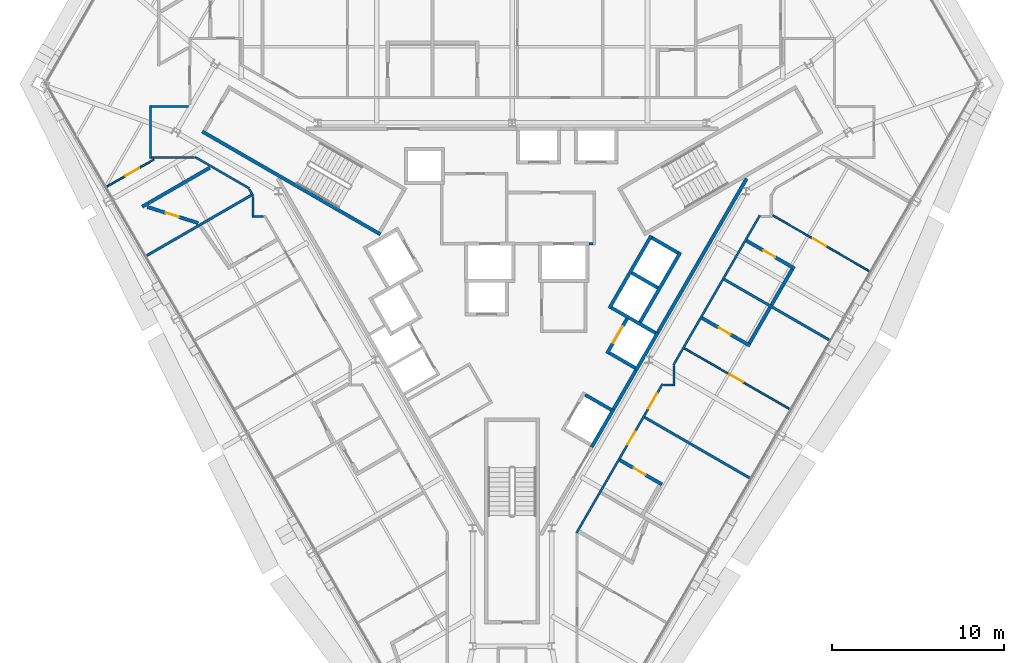
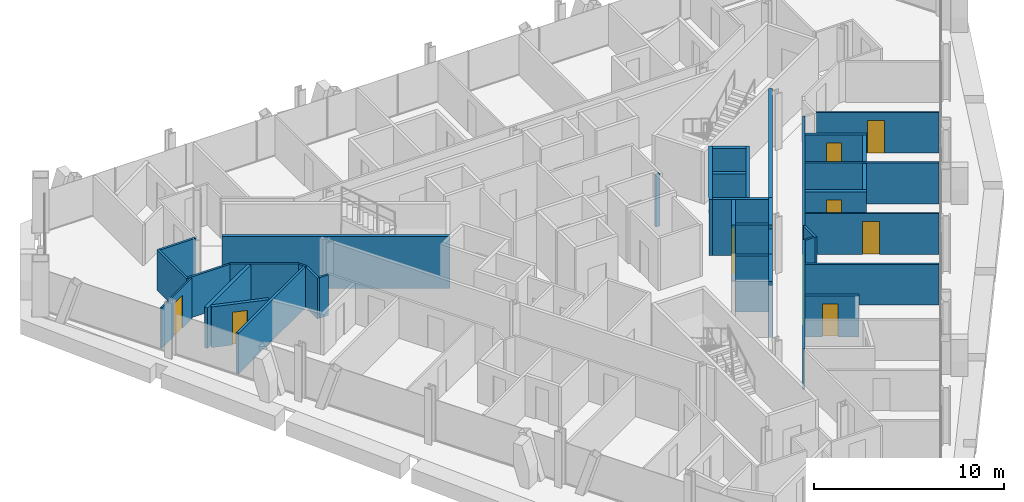
# One storey, part 12 of 17: 38 walls, 10 doors, 10 openings.
"""IFC4 building model written with IfcOpenShell, lengths in metres."""

import ifcopenshell
import ifcopenshell.guid

model = None  # the IFC model being written
_history = None  # IfcOwnerHistory: only IFC2X3 demands one
_inside = {}  # id of a spatial element -> (the spatial element, [elements in it])
_under = {}  # id of a project, library or spatial element -> (it, [spatial elements below it])
_declared = {}  # id of a project -> (the project, [libraries it declares])
_typed = {}  # id of a type object -> (the type object, [elements of that type])
_made_of = {}  # id of a material, layer set ... -> (it, [elements and type objects made of it])


def new_model(schema):
    """Start an empty IFC model of exactly this schema.

    Asked for "IFC4X3", IfcOpenShell would pick the latest addendum, in which some entities
    have other attributes; the version numbers below select the first issue.
    IFC2X3 requires an IfcOwnerHistory on every rooted entity: one is made here for all.
    """
    global model, _history
    if schema == "IFC4X3":
        model = ifcopenshell.file(schema_version=(4, 3, 0, 0))
    else:
        model = ifcopenshell.file(schema=schema)
    _inside.clear()
    _under.clear()
    _declared.clear()
    _typed.clear()
    _made_of.clear()
    _history = None
    if model.schema == "IFC2X3":
        org = make("IfcOrganization", Name="unknown")
        user = make(
            "IfcPersonAndOrganization",
            ThePerson=make("IfcPerson", FamilyName="unknown"),
            TheOrganization=org,
        )
        app = make(
            "IfcApplication",
            ApplicationDeveloper=org,
            Version="unknown",
            ApplicationFullName="unknown",
            ApplicationIdentifier="unknown",
        )
        _history = make(
            "IfcOwnerHistory",
            OwningUser=user,
            OwningApplication=app,
            ChangeAction="ADDED",
            CreationDate=0,
        )
    return model


def make(cls, **values):
    """One entity of the class cls with the attributes given. An attribute that is None is left unset."""
    return model.create_entity(
        cls, **{name: value for name, value in values.items() if value is not None}
    )


def rooted(cls, **values):
    """An entity with a GlobalId (a new one), such as an element, a storey or a relation."""
    return make(cls, GlobalId=ifcopenshell.guid.new(), OwnerHistory=_history, **values)


def si_unit(unit_type, name, prefix=None):
    """IfcSIUnit, for example si_unit("LENGTHUNIT", "METRE", prefix="MILLI")."""
    return make("IfcSIUnit", UnitType=unit_type, Prefix=prefix, Name=name)


def assignment(units):
    """IfcUnitAssignment: the units of a project."""
    return None if units is None else make("IfcUnitAssignment", Units=units)


def point(xyz):
    """IfcCartesianPoint."""
    return None if xyz is None else make("IfcCartesianPoint", Coordinates=xyz)


def direction(xyz):
    """IfcDirection."""
    return None if xyz is None else make("IfcDirection", DirectionRatios=xyz)


def frame(location, z_axis=None, x_axis=None):
    """IfcAxis2Placement3D, a coordinate frame: its origin and axes. An axis left out is left unset."""
    return make(
        "IfcAxis2Placement3D",
        Location=point(location),
        Axis=direction(z_axis),
        RefDirection=direction(x_axis),
    )


def frame_2d(location, x_axis=None):
    """IfcAxis2Placement2D, a coordinate frame in the plane: its origin and x axis."""
    return make(
        "IfcAxis2Placement2D", Location=point(location), RefDirection=direction(x_axis)
    )


def origin():
    """The frame at (0, 0, 0) with its axes left unset."""
    return frame((0.0, 0.0, 0.0))


def place(relative_to, where):
    """IfcLocalPlacement: puts the frame where relative to a parent placement (None: the world)."""
    return make(
        "IfcLocalPlacement", PlacementRelTo=relative_to, RelativePlacement=where
    )


def context(
    kind, dimensions, precision=None, world=None, true_north=None, identifier=None
):
    """IfcGeometricRepresentationContext, for example the 3D "Model" context."""
    return make(
        "IfcGeometricRepresentationContext",
        ContextIdentifier=identifier,
        ContextType=kind,
        CoordinateSpaceDimension=dimensions,
        Precision=precision,
        WorldCoordinateSystem=world,
        TrueNorth=true_north,
    )


def subcontext(parent, identifier, kind, view, scale=None):
    """IfcGeometricRepresentationSubContext, for example "Body" below "Model"."""
    return make(
        "IfcGeometricRepresentationSubContext",
        ContextIdentifier=identifier,
        ContextType=kind,
        ParentContext=parent,
        TargetScale=scale,
        TargetView=view,
    )


def project(units=None, contexts=None):
    """IfcProject with its units and contexts."""
    return rooted(
        "IfcProject",
        Name="project",
        RepresentationContexts=contexts,
        UnitsInContext=assignment(units),
    )


def spatial(cls, under=None, at=None, **own):
    """A site, building, storey or space (cls), placed at a placement, below another one or the project."""
    s = rooted(cls, ObjectPlacement=at, **own)
    if under is not None:
        _under.setdefault(under.id(), (under, []))[1].append(s)
    return s


def profile(cls, at=None, kind="AREA", **sizes):
    """A parametric profile (cls). Its sizes go by their IFC names, for example OverallWidth=200.0."""
    return make(cls, ProfileType=kind, Position=at, **sizes)


def rectangle(**sizes):
    """IfcRectangleProfileDef."""
    return profile("IfcRectangleProfileDef", **sizes)


def extrude(swept, where, along, depth):
    """IfcExtrudedAreaSolid: the profile swept, set in the frame where, extruded along a direction by depth."""
    return make(
        "IfcExtrudedAreaSolid",
        SweptArea=swept,
        Position=where,
        ExtrudedDirection=direction(along),
        Depth=depth,
    )


def shape(context_of_items, identifier, shape_type, items):
    """IfcShapeRepresentation: the items that make up one representation, for example the "Body"."""
    return make(
        "IfcShapeRepresentation",
        ContextOfItems=context_of_items,
        RepresentationIdentifier=identifier,
        RepresentationType=shape_type,
        Items=items,
    )


def material(Name=None, Category=None):
    """IfcMaterial."""
    return make("IfcMaterial", Name=Name, Category=Category)


def layer(
    of_material, thickness, ventilated=None, Name=None, Category=None, Priority=None
):
    """IfcMaterialLayer: one layer of a wall or slab, of a material (None: an air gap)."""
    return make(
        "IfcMaterialLayer",
        Material=of_material,
        LayerThickness=thickness,
        IsVentilated=ventilated,
        Name=Name,
        Category=Category,
        Priority=Priority,
    )


def layer_set(layers, Name=None):
    """IfcMaterialLayerSet."""
    return make("IfcMaterialLayerSet", MaterialLayers=layers, LayerSetName=Name)


def made_of(thing, what):
    """Note that an element or type object is made of a material, layer set ...; save() writes the relation."""
    if what is not None:
        _made_of.setdefault(what.id(), (what, []))[1].append(thing)
    return thing


def type_object(cls, material=None, **own):
    """A type object (cls), such as IfcWallType, which elements share."""
    return made_of(rooted(cls, **own), material)


def element(
    cls,
    number,
    at=None,
    inside=None,
    cuts=None,
    type_object=None,
    material=None,
    context=None,
    identifier="Body",
    shape_type=None,
    held_by="IfcProductDefinitionShape",
    body=None,
    shapes=None,
    **own,
):
    """One element of the class cls, such as IfcWall. Its Tag is "e" and its number.

    at: its placement. inside: the storey or other place that contains it. cuts: it is an
    opening in that element (IfcRelVoidsElement). A single representation is given by context,
    identifier, shape_type and body (its items); several are given by shapes. held_by: the class
    of the entity that holds the representations. save() writes the other relations.
    """
    e = rooted(cls, Tag="e%d" % number, ObjectPlacement=at, **own)
    if body is not None:
        shapes = [shape(context, identifier, shape_type, body)]
    if shapes is not None:
        e.Representation = make(held_by, Representations=shapes)
    if inside is not None:
        _inside.setdefault(inside.id(), (inside, []))[1].append(e)
    if cuts is not None:
        rooted(
            "IfcRelVoidsElement", RelatingBuildingElement=cuts, RelatedOpeningElement=e
        )
    if type_object is not None:
        _typed.setdefault(type_object.id(), (type_object, []))[1].append(e)
    return made_of(e, material)


def fill(opening, filler):
    """IfcRelFillsElement: the door or window that sits in an opening."""
    return rooted(
        "IfcRelFillsElement",
        RelatingOpeningElement=opening,
        RelatedBuildingElement=filler,
    )


def aggregate(whole, parts):
    """IfcRelAggregates: a whole, such as a stair, and the parts it consists of."""
    return rooted("IfcRelAggregates", RelatingObject=whole, RelatedObjects=parts)


def save(model, path):
    """Write the relations noted so far, then the file.

    IfcRelAggregates (storeys below a building ...), IfcRelContainedInSpatialStructure (elements
    in a storey), IfcRelDefinesByType, IfcRelAssociatesMaterial and IfcRelDeclares: one each for
    every whole, place, type object, material and project.
    """
    for whole, parts in _under.values():
        aggregate(whole, parts)
    for where, things in _inside.values():
        rooted(
            "IfcRelContainedInSpatialStructure",
            RelatedElements=things,
            RelatingStructure=where,
        )
    for kind, things in _typed.values():
        rooted("IfcRelDefinesByType", RelatedObjects=things, RelatingType=kind)
    for what, things in _made_of.values():
        rooted("IfcRelAssociatesMaterial", RelatedObjects=things, RelatingMaterial=what)
    for by, libraries in _declared.values():
        rooted("IfcRelDeclares", RelatingContext=by, RelatedDefinitions=libraries)
    model.write(path)


model = new_model("IFC4")

# Units and contexts
model_context = context("Model", 3, precision=1e-05, world=origin(), true_north=direction((0.0, 1.0)))
body_context = subcontext(model_context, "Body", "Model", "MODEL_VIEW")
ifc_project = project(units=[si_unit("LENGTHUNIT", "METRE"), si_unit("AREAUNIT", "SQUARE_METRE"), si_unit("VOLUMEUNIT", "CUBIC_METRE"), si_unit("PLANEANGLEUNIT", "RADIAN"), si_unit("MASSUNIT", "GRAM", prefix="KILO")], contexts=[model_context])

# Site, building, storey
site_placement = place(None, origin())
site = spatial("IfcSite", under=ifc_project, at=site_placement, CompositionType="ELEMENT")
building_placement = place(site_placement, origin())
building = spatial("IfcBuilding", under=site, at=building_placement, Name="Verrane Prism Tower", CompositionType="ELEMENT")
storey_placement = place(building_placement, frame((0.0, 0.0, 96.39990234375)))
storey = spatial("IfcBuildingStorey", under=building, at=storey_placement, Name="L22", CompositionType="ELEMENT", Elevation=96.39990234375)

# Walls
ifc_material_1 = material(Name="Gypsum board partition", Category="other")
ifc_layer_1 = layer(ifc_material_1, 0.199951171875)
ifc_layer_set_1 = layer_set([ifc_layer_1], Name="CW-200 core boundary wall 2 h")
wall_type_1 = type_object("IfcWallType", Name="CW-200 core boundary wall 2 h", PredefinedType="PARTITIONING", material=ifc_layer_set_1)
wall_1_placement = place(storey_placement, frame((5.906005859375, -7.489990234375, 0.0), z_axis=(0.0, 0.0, 1.0), x_axis=(0.500252727967, 0.865879442048, 0.0)))
element("IfcWall", 1, at=wall_1_placement, inside=storey, type_object=wall_type_1, Name="Core boundary wall CW3-005", PredefinedType="PARTITIONING", context=body_context, shape_type="SweptSolid", body=[
    extrude(rectangle(XDim=2.616943359375, YDim=0.199951171875, at=frame_2d((1.30859375, 0.0))), origin(), (0.0, 0.0, 1.0), 3.35009765625),
])
wall_2_placement = place(storey_placement, frame((8.491943359375, -3.011962890625, 0.0), z_axis=(0.0, 0.0, 1.0), x_axis=(0.499972957231, 0.866041016371, 0.0)))
element("IfcWall", 2, at=wall_2_placement, inside=storey, type_object=wall_type_1, Name="Core boundary wall CW3-007", PredefinedType="PARTITIONING", context=body_context, shape_type="SweptSolid", body=[
    extrude(rectangle(XDim=10.3486328125, YDim=0.199951171875, at=frame_2d((5.17431640625, 0.0))), origin(), (0.0, 0.0, 1.0), 3.35009765625),
])
ifc_material_2 = material(Name="Concrete C40/50", Category="concrete")
ifc_layer_2 = layer(ifc_material_2, 0.199951171875)
ifc_layer_set_2 = layer_set([ifc_layer_2], Name="CW-200 stair core wall concrete C40/50 3 h")
wall_type_2 = type_object("IfcWallType", Name="CW-200 stair core wall concrete C40/50 3 h", PredefinedType="PARTITIONING", material=ifc_layer_set_2)
wall_3_placement = place(storey_placement, frame((-7.67822265625, 2.700927734375, 0.0), z_axis=(0.0, 0.0, 1.0), x_axis=(-0.866026010844, 0.49999894854, 0.0)))
element("IfcWall", 3, at=wall_3_placement, inside=storey, type_object=wall_type_2, Name="Stair 2 enclosure wall", PredefinedType="PARTITIONING", context=body_context, shape_type="SweptSolid", body=[
    extrude(rectangle(XDim=12.0, YDim=0.199951171875, at=frame_2d((6.0, 0.0))), origin(), (0.0, 0.0, 1.0), 3.35009765625),
])
ifc_material_3 = material(Name="Gypsum board shaft wall assembly", Category="other")
ifc_layer_3 = layer(ifc_material_3, 0.199951171875)
ifc_layer_set_3 = layer_set([ifc_layer_3], Name="HW-200 lift shaft wall 2 h")
wall_type_3 = type_object("IfcWallType", Name="HW-200 lift shaft wall 2 h", PredefinedType="PARTITIONING", material=ifc_layer_set_3)
wall_4_placement = place(storey_placement, frame((4.63037109375, -9.69970703125, 0.0), z_axis=(0.0, 0.0, 1.0), x_axis=(0.500062241894, 0.865989465428, 0.0)))
element("IfcWall", 4, at=wall_4_placement, inside=storey, type_object=wall_type_3, Name="Lift shaft wall", PredefinedType="PARTITIONING", context=body_context, shape_type="SweptSolid", body=[
    extrude(rectangle(XDim=2.550048828125, YDim=0.199951171875, at=frame_2d((1.27490234375, 0.0))), origin(), (0.0, 0.0, 1.0), 3.60009765625),
])
wall_5_placement = place(storey_placement, frame((7.215576171875, -5.222412109375, 0.0), z_axis=(0.0, 0.0, 1.0), x_axis=(0.499990435942, 0.866030925526, 0.0)))
element("IfcWall", 5, at=wall_5_placement, inside=storey, type_object=wall_type_3, Name="Lift shaft wall", PredefinedType="PARTITIONING", context=body_context, shape_type="SweptSolid", body=[
    extrude(rectangle(XDim=2.5498046875, YDim=0.199951171875, at=frame_2d((1.27490234375, 0.0))), origin(), (0.0, 0.0, 1.0), 3.60009765625),
])
wall_6_placement = place(storey_placement, frame((7.451171875, -2.4140625, 0.0), z_axis=(0.0, 0.0, 1.0), x_axis=(0.500016218704, 0.866016039709, 0.0)))
element("IfcWall", 6, at=wall_6_placement, inside=storey, type_object=wall_type_3, Name="Lift shaft wall", PredefinedType="PARTITIONING", context=body_context, shape_type="SweptSolid", body=[
    extrude(rectangle(XDim=4.699951171875, YDim=0.199951171875, at=frame_2d((2.35009765625, 0.0))), origin(), (0.0, 0.0, 1.0), 3.60009765625),
])

# Wall, opening, door
wall_7_placement = place(storey_placement, frame((5.52685546875, -4.247314453125, 0.0), z_axis=(0.0, 0.0, 1.0), x_axis=(0.499938297808, 0.866061024631, 0.0)))
wall_7 = element("IfcWall", 7, at=wall_7_placement, inside=storey, type_object=wall_type_3, Name="Lift shaft wall", PredefinedType="PARTITIONING", context=body_context, shape_type="SweptSolid", body=[
    extrude(rectangle(XDim=2.349853515625, YDim=0.199951171875, at=frame_2d((1.1748046875, 0.0))), origin(), (0.0, 0.0, 1.0), 3.60009765625),
])
opening_1_placement = place(wall_7_placement, frame((0.72509765625, 0.0, 0.0)))
opening_1 = element("IfcOpeningElement", 8, at=opening_1_placement, cuts=wall_7, Name="Opening D21507", PredefinedType="OPENING", context=body_context, shape_type="SweptSolid", body=[
    extrude(rectangle(XDim=1.10009765625, YDim=2.10009765625, at=frame_2d((0.550048828125, 1.050048828125))), frame((0.0, 0.10986328125, 0.0), z_axis=(0.0, -1.0, 0.0), x_axis=(1.0, 0.0, 0.0)), (0.0, 0.0, 1.0), 0.219970703125),
])
ifc_material_4 = material(Name="Stainless steel sliding landing door", Category="steel")
door_type_1 = type_object("IfcDoorType", Name="LD-1100x2100 lift landing door FD90 sliding", OperationType="NOTDEFINED", PredefinedType="DOOR", material=ifc_material_4)
door_1_placement = place(opening_1_placement, origin())
door_1 = element("IfcDoor", 9, at=door_1_placement, inside=storey, type_object=door_type_1, Name="Bank A lift 5 landing door", OperationType="SLIDING_TO_LEFT", OverallHeight=2.10009765625, OverallWidth=1.10009765625, PredefinedType="DOOR", context=body_context, shape_type="SweptSolid", body=[
    extrude(rectangle(XDim=1.10009765625, YDim=2.10009765625, at=frame_2d((0.550048828125, 1.050048828125))), frame((0.0, 0.02490234375, 0.0), z_axis=(0.0, -1.0, 0.0), x_axis=(1.0, 0.0, 0.0)), (0.0, 0.0, 1.0), 0.050048828125),
])
fill(opening_1, door_1)

# Walls
wall_8_placement = place(storey_placement, frame((5.66259765625, -1.6123046875, 0.0), z_axis=(0.0, 0.0, 1.0), x_axis=(0.49998122708, 0.866036242063, 0.0)))
element("IfcWall", 10, at=wall_8_placement, inside=storey, type_object=wall_type_3, Name="Lift shaft wall", PredefinedType="PARTITIONING", context=body_context, shape_type="SweptSolid", body=[
    extrude(rectangle(XDim=4.900146484375, YDim=0.199951171875, at=frame_2d((2.4501953125, 0.0))), origin(), (0.0, 0.0, 1.0), 3.60009765625),
])
wall_9_placement = place(storey_placement, frame((9.66455078125, 1.61962890625, 0.0), z_axis=(0.0, 0.0, 1.0), x_axis=(-0.866002029911, 0.500040482552, 0.0)))
element("IfcWall", 11, at=wall_9_placement, inside=storey, type_object=wall_type_3, Name="Lift shaft wall", PredefinedType="PARTITIONING", context=body_context, shape_type="SweptSolid", body=[
    extrude(rectangle(XDim=1.749755859375, YDim=0.199951171875, at=frame_2d((0.875, 0.0))), origin(), (0.0, 0.0, 1.0), 3.60009765625),
])
wall_10_placement = place(storey_placement, frame((8.48974609375, -0.41552734375, 0.0), z_axis=(0.0, 0.0, 1.0), x_axis=(-0.866036909293, 0.499980071345, 0.0)))
element("IfcWall", 12, at=wall_10_placement, inside=storey, type_object=wall_type_3, Name="Lift shaft wall", PredefinedType="PARTITIONING", context=body_context, shape_type="SweptSolid", body=[
    extrude(rectangle(XDim=1.75, YDim=0.199951171875, at=frame_2d((0.875, 0.0))), origin(), (0.0, 0.0, 1.0), 3.60009765625),
])
wall_11_placement = place(storey_placement, frame((8.35400390625, -3.050537109375, 0.0), z_axis=(0.0, 0.0, 1.0), x_axis=(-0.866060182126, 0.499939757307, 0.0)))
element("IfcWall", 13, at=wall_11_placement, inside=storey, type_object=wall_type_3, Name="Lift shaft wall", PredefinedType="PARTITIONING", context=body_context, shape_type="SweptSolid", body=[
    extrude(rectangle(XDim=2.949951171875, YDim=0.199951171875, at=frame_2d((1.47509765625, 0.0))), origin(), (0.0, 0.0, 1.0), 3.60009765625),
])
wall_12_placement = place(storey_placement, frame((7.178955078125, -5.085693359375, 0.0), z_axis=(0.0, 0.0, 1.0), x_axis=(-0.866036909293, 0.499980071345, 0.0)))
element("IfcWall", 14, at=wall_12_placement, inside=storey, type_object=wall_type_3, Name="Lift shaft wall", PredefinedType="PARTITIONING", context=body_context, shape_type="SweptSolid", body=[
    extrude(rectangle(XDim=1.75, YDim=0.199951171875, at=frame_2d((0.875, 0.0))), origin(), (0.0, 0.0, 1.0), 3.60009765625),
])
wall_13_placement = place(storey_placement, frame((5.768798828125, -7.528076171875, 0.0), z_axis=(0.0, 0.0, 1.0), x_axis=(-0.866002029911, 0.500040482552, 0.0)))
element("IfcWall", 15, at=wall_13_placement, inside=storey, type_object=wall_type_3, Name="Lift shaft wall", PredefinedType="PARTITIONING", context=body_context, shape_type="SweptSolid", body=[
    extrude(rectangle(XDim=1.749755859375, YDim=0.199951171875, at=frame_2d((0.875, 0.0))), origin(), (0.0, 0.0, 1.0), 3.60009765625),
])
ifc_material_5 = material(Name="Gypsum board partition", Category="other")
ifc_layer_4 = layer(ifc_material_5, 0.14990234375)
ifc_layer_set_4 = layer_set([ifc_layer_4], Name="LF-150 firefighting lobby wall 1 h")
wall_type_4 = type_object("IfcWallType", Name="LF-150 firefighting lobby wall 1 h", PredefinedType="PARTITIONING", material=ifc_layer_set_4)
wall_14_placement = place(storey_placement, frame((4.47705078125, 2.159912109375, 0.0), z_axis=(0.0, 0.0, 1.0), x_axis=(1.0, 0.0, 0.0)))
element("IfcWall", 16, at=wall_14_placement, inside=storey, type_object=wall_type_4, Name="Firefighting lobby wall LF1-007", PredefinedType="PARTITIONING", context=body_context, shape_type="SweptSolid", body=[
    extrude(rectangle(XDim=0.238037109375, YDim=0.14990234375, at=frame_2d((0.119140625, 0.0))), origin(), (0.0, 0.0, 1.0), 3.35009765625),
])

# Wall, opening, door
ifc_material_6 = material(Name="Gypsum board partition", Category="other")
ifc_layer_5 = layer(ifc_material_6, 0.10009765625)
ifc_layer_set_5 = layer_set([ifc_layer_5], Name="PW-100 room partition")
wall_type_5 = type_object("IfcWallType", Name="PW-100 room partition", PredefinedType="PARTITIONING", material=ifc_layer_set_5)
wall_15_placement = place(storey_placement, frame((-20.88037109375, 7.067138671875, 0.0), z_axis=(0.0, 0.0, 1.0), x_axis=(-0.866127794624, -0.499822611913, 0.0)))
wall_15 = element("IfcWall", 17, at=wall_15_placement, inside=storey, type_object=wall_type_5, Name="Room partition 001", PredefinedType="PARTITIONING", context=body_context, shape_type="SweptSolid", body=[
    extrude(rectangle(XDim=3.165283203125, YDim=0.10009765625, at=frame_2d((1.58251953125, 0.0))), origin(), (0.0, 0.0, 1.0), 2.613037109375),
])
opening_2_placement = place(wall_15_placement, frame((1.01123046875, 0.0, 0.0)))
opening_2 = element("IfcOpeningElement", 18, at=opening_2_placement, cuts=wall_15, Name="Opening D21026", PredefinedType="OPENING", context=body_context, shape_type="SweptSolid", body=[
    extrude(rectangle(XDim=0.89990234375, YDim=2.10009765625, at=frame_2d((0.449951171875, 1.050048828125))), frame((0.0, 0.06005859375, 0.0), z_axis=(0.0, -1.0, 0.0), x_axis=(1.0, 0.0, 0.0)), (0.0, 0.0, 1.0), 0.1201171875),
])
ifc_material_7 = material(Name="Timber veneered door leaf", Category="wood")
door_type_2 = type_object("IfcDoorType", Name="DR-900x2100 single leaf inner", OperationType="NOTDEFINED", PredefinedType="DOOR", material=ifc_material_7)
door_2_placement = place(opening_2_placement, origin())
door_2 = element("IfcDoor", 19, at=door_2_placement, inside=storey, type_object=door_type_2, Name="Suite Living Room door", OperationType="SINGLE_SWING_LEFT", OverallHeight=2.10009765625, OverallWidth=0.89990234375, PredefinedType="DOOR", context=body_context, shape_type="SweptSolid", body=[
    extrude(rectangle(XDim=0.89990234375, YDim=2.10009765625, at=frame_2d((0.449951171875, 1.050048828125))), frame((0.0, 0.02490234375, 0.0), z_axis=(0.0, -1.0, 0.0), x_axis=(1.0, 0.0, 0.0)), (0.0, 0.0, 1.0), 0.050048828125),
])
fill(opening_2, door_2)

wall_16_placement = place(storey_placement, frame((10.037109375, -3.940185546875, 0.0), z_axis=(0.0, 0.0, 1.0), x_axis=(0.866063951978, -0.499933226626, 0.0)))
wall_16 = element("IfcWall", 20, at=wall_16_placement, inside=storey, type_object=wall_type_5, Name="Room partition 072", PredefinedType="PARTITIONING", context=body_context, shape_type="SweptSolid", body=[
    extrude(rectangle(XDim=7.05224609375, YDim=0.10009765625, at=frame_2d((3.526123046875, 0.0))), origin(), (0.0, 0.0, 1.0), 2.613037109375),
])
opening_3_placement = place(wall_16_placement, frame((3.03759765625, 0.0, 0.0)))
opening_3 = element("IfcOpeningElement", 21, at=opening_3_placement, cuts=wall_16, Name="Opening D21007", PredefinedType="OPENING", context=body_context, shape_type="SweptSolid", body=[
    extrude(rectangle(XDim=0.89990234375, YDim=2.10009765625, at=frame_2d((0.449951171875, 1.050048828125))), frame((0.0, 0.06005859375, 0.0), z_axis=(0.0, -1.0, 0.0), x_axis=(1.0, 0.0, 0.0)), (0.0, 0.0, 1.0), 0.1201171875),
])
door_3_placement = place(opening_3_placement, origin())
door_3 = element("IfcDoor", 22, at=door_3_placement, inside=storey, type_object=door_type_2, Name="Suite Living Room door", OperationType="SINGLE_SWING_LEFT", OverallHeight=2.10009765625, OverallWidth=0.89990234375, PredefinedType="DOOR", context=body_context, shape_type="SweptSolid", body=[
    extrude(rectangle(XDim=0.89990234375, YDim=2.10009765625, at=frame_2d((0.449951171875, 1.050048828125))), frame((0.0, 0.02490234375, 0.0), z_axis=(0.0, -1.0, 0.0), x_axis=(1.0, 0.0, 0.0)), (0.0, 0.0, 1.0), 0.050048828125),
])
fill(opening_3, door_3)

wall_17_placement = place(storey_placement, frame((20.786865234375, 0.574951171875, 0.0), z_axis=(0.0, 0.0, 1.0), x_axis=(-0.866012632051, 0.500022120638, 0.0)))
wall_17 = element("IfcWall", 23, at=wall_17_placement, inside=storey, type_object=wall_type_5, Name="Room partition 084", PredefinedType="PARTITIONING", context=body_context, shape_type="SweptSolid", body=[
    extrude(rectangle(XDim=6.464599609375, YDim=0.10009765625, at=frame_2d((3.232421875, 0.0))), origin(), (0.0, 0.0, 1.0), 2.613037109375),
])
opening_4_placement = place(wall_17_placement, frame((2.86572265625, 0.0, 0.0)))
opening_4 = element("IfcOpeningElement", 24, at=opening_4_placement, cuts=wall_17, Name="Opening D21010", PredefinedType="OPENING", context=body_context, shape_type="SweptSolid", body=[
    extrude(rectangle(XDim=0.89990234375, YDim=2.10009765625, at=frame_2d((0.449951171875, 1.050048828125))), frame((0.0, 0.06005859375, 0.0), z_axis=(0.0, -1.0, 0.0), x_axis=(1.0, 0.0, 0.0)), (0.0, 0.0, 1.0), 0.1201171875),
])
door_4_placement = place(opening_4_placement, origin())
door_4 = element("IfcDoor", 25, at=door_4_placement, inside=storey, type_object=door_type_2, Name="Suite Living Room door", OperationType="SINGLE_SWING_LEFT", OverallHeight=2.10009765625, OverallWidth=0.89990234375, PredefinedType="DOOR", context=body_context, shape_type="SweptSolid", body=[
    extrude(rectangle(XDim=0.89990234375, YDim=2.10009765625, at=frame_2d((0.449951171875, 1.050048828125))), frame((0.0, 0.02490234375, 0.0), z_axis=(0.0, -1.0, 0.0), x_axis=(1.0, 0.0, 0.0)), (0.0, 0.0, 1.0), 0.050048828125),
])
fill(opening_4, door_4)

# Walls
ifc_material_8 = material(Name="Gypsum board partition", Category="other")
ifc_layer_6 = layer(ifc_material_8, 0.125)
ifc_layer_set_6 = layer_set([ifc_layer_6], Name="PW-125 corridor wall 1 h")
wall_type_6 = type_object("IfcWallType", Name="PW-125 corridor wall 1 h", PredefinedType="PARTITIONING", material=ifc_layer_set_6)
wall_18_placement = place(storey_placement, frame((-21.0869140625, 7.110595703125, 0.0), z_axis=(0.0, 0.0, 1.0), x_axis=(0.0, 1.0, 0.0)))
element("IfcWall", 26, at=wall_18_placement, inside=storey, type_object=wall_type_6, Name="Corridor wall 005", PredefinedType="PARTITIONING", context=body_context, shape_type="SweptSolid", body=[
    extrude(rectangle(XDim=3.098876953125, YDim=0.125, at=frame_2d((1.54931640625, 0.0))), origin(), (0.0, 0.0, 1.0), 2.613037109375),
])
wall_19_placement = place(storey_placement, frame((-21.02197265625, 7.173095703125, 0.0), z_axis=(0.0, 0.0, 1.0), x_axis=(1.0, 0.0, 0.0)))
element("IfcWall", 27, at=wall_19_placement, inside=storey, type_object=wall_type_6, Name="Corridor wall 006", PredefinedType="PARTITIONING", context=body_context, shape_type="SweptSolid", body=[
    extrude(rectangle(XDim=2.512939453125, YDim=0.125, at=frame_2d((1.25634765625, 0.0))), origin(), (0.0, 0.0, 1.0), 2.613037109375),
])
wall_20_placement = place(storey_placement, frame((-21.02197265625, 10.14697265625, 0.0), z_axis=(0.0, 0.0, 1.0), x_axis=(1.0, 0.0, 0.0)))
element("IfcWall", 28, at=wall_20_placement, inside=storey, type_object=wall_type_6, Name="Corridor wall 007", PredefinedType="PARTITIONING", context=body_context, shape_type="SweptSolid", body=[
    extrude(rectangle(XDim=2.169921875, YDim=0.125, at=frame_2d((1.0849609375, 0.0))), origin(), (0.0, 0.0, 1.0), 2.613037109375),
])
wall_21_placement = place(storey_placement, frame((-18.47802734375, 7.204345703125, 0.0), z_axis=(0.0, 0.0, 1.0), x_axis=(0.866011320536, -0.500024392108, 0.0)))
element("IfcWall", 29, at=wall_21_placement, inside=storey, type_object=wall_type_6, Name="Corridor wall 013", PredefinedType="PARTITIONING", context=body_context, shape_type="SweptSolid", body=[
    extrude(rectangle(XDim=3.662841796875, YDim=0.125, at=frame_2d((1.83154296875, 0.0))), origin(), (0.0, 0.0, 1.0), 2.613037109375),
])
wall_22_placement = place(storey_placement, frame((-15.317626953125, 5.330322265625, 0.0), z_axis=(0.0, 0.0, 1.0), x_axis=(0.499836277606, -0.86611990832, 0.0)))
element("IfcWall", 30, at=wall_22_placement, inside=storey, type_object=wall_type_6, Name="Corridor wall 021", PredefinedType="PARTITIONING", context=body_context, shape_type="SweptSolid", body=[
    extrude(rectangle(XDim=0.433349609375, YDim=0.125, at=frame_2d((0.216796875, 0.0))), origin(), (0.0, 0.0, 1.0), 2.613037109375),
])
wall_23_placement = place(storey_placement, frame((-15.10107421875, 3.6865234375, 0.0), z_axis=(0.0, 0.0, 1.0), x_axis=(0.0, 1.0, 0.0)))
element("IfcWall", 31, at=wall_23_placement, inside=storey, type_object=wall_type_6, Name="Corridor wall 022", PredefinedType="PARTITIONING", context=body_context, shape_type="SweptSolid", body=[
    extrude(rectangle(XDim=1.236083984375, YDim=0.125, at=frame_2d((0.6181640625, 0.0))), origin(), (0.0, 0.0, 1.0), 2.613037109375),
])
wall_24_placement = place(storey_placement, frame((-15.035888671875, 3.7490234375, 0.0), z_axis=(0.0, 0.0, 1.0), x_axis=(1.0, 0.0, 0.0)))
element("IfcWall", 32, at=wall_24_placement, inside=storey, type_object=wall_type_6, Name="Corridor wall 023", PredefinedType="PARTITIONING", context=body_context, shape_type="SweptSolid", body=[
    extrude(rectangle(XDim=0.546875, YDim=0.125, at=frame_2d((0.2734375, 0.0))), origin(), (0.0, 0.0, 1.0), 2.613037109375),
])

# Wall, openings, doors
wall_25_placement = place(storey_placement, frame((8.766357421875, -6.016845703125, 0.0), z_axis=(0.0, 0.0, 1.0), x_axis=(-0.500051472265, -0.865995684219, 0.0)))
wall_25 = element("IfcWall", 33, at=wall_25_placement, inside=storey, type_object=wall_type_6, Name="Corridor wall 059", PredefinedType="PARTITIONING", context=body_context, shape_type="SweptSolid", body=[
    extrude(rectangle(XDim=10.02001953125, YDim=0.125, at=frame_2d((5.010009765625, 0.0))), origin(), (0.0, 0.0, 1.0), 2.613037109375),
])
opening_5_placement = place(wall_25_placement, frame((3.1904296875, 0.0, 0.0)))
opening_5 = element("IfcOpeningElement", 34, at=opening_5_placement, cuts=wall_25, Name="Opening D21004", PredefinedType="OPENING", context=body_context, shape_type="SweptSolid", body=[
    extrude(rectangle(XDim=0.89990234375, YDim=2.10009765625, at=frame_2d((0.449951171875, 1.050048828125))), frame((0.0, 0.072509765625, 0.0), z_axis=(0.0, -1.0, 0.0), x_axis=(1.0, 0.0, 0.0)), (0.0, 0.0, 1.0), 0.14501953125),
])
opening_6_placement = place(wall_25_placement, frame((0.658447265625, 0.0, 0.0)))
opening_6 = element("IfcOpeningElement", 35, at=opening_6_placement, cuts=wall_25, Name="Opening D21006", PredefinedType="OPENING", context=body_context, shape_type="SweptSolid", body=[
    extrude(rectangle(XDim=1.0, YDim=2.10009765625, at=frame_2d((0.5, 1.050048828125))), frame((0.0, 0.072509765625, 0.0), z_axis=(0.0, -1.0, 0.0), x_axis=(1.0, 0.0, 0.0)), (0.0, 0.0, 1.0), 0.14501953125),
])
ifc_material_9 = material(Name="Timber veneered door leaf", Category="wood")
door_type_3 = type_object("IfcDoorType", Name="DR-1000x2100 FD20 single leaf unit", OperationType="NOTDEFINED", PredefinedType="DOOR", material=ifc_material_9)
door_5_placement = place(opening_6_placement, origin())
door_5 = element("IfcDoor", 36, at=door_5_placement, inside=storey, type_object=door_type_3, Name="Suite Living Room door", OperationType="SINGLE_SWING_LEFT", OverallHeight=2.10009765625, OverallWidth=1.0, PredefinedType="DOOR", context=body_context, shape_type="SweptSolid", body=[
    extrude(rectangle(XDim=1.0, YDim=2.10009765625, at=frame_2d((0.5, 1.050048828125))), frame((0.0, 0.02490234375, 0.0), z_axis=(0.0, -1.0, 0.0), x_axis=(1.0, 0.0, 0.0)), (0.0, 0.0, 1.0), 0.050048828125),
])
fill(opening_6, door_5)
ifc_material_10 = material(Name="Timber veneered door leaf", Category="wood")
door_type_4 = type_object("IfcDoorType", Name="DR-900x2100 FD20 single leaf unit", OperationType="NOTDEFINED", PredefinedType="DOOR", material=ifc_material_10)
door_6_placement = place(opening_5_placement, origin())
door_6 = element("IfcDoor", 37, at=door_6_placement, inside=storey, type_object=door_type_4, Name="Guest Room door", OperationType="SINGLE_SWING_LEFT", OverallHeight=2.10009765625, OverallWidth=0.89990234375, PredefinedType="DOOR", context=body_context, shape_type="SweptSolid", body=[
    extrude(rectangle(XDim=0.89990234375, YDim=2.10009765625, at=frame_2d((0.449951171875, 1.050048828125))), frame((0.0, 0.02490234375, 0.0), z_axis=(0.0, -1.0, 0.0), x_axis=(1.0, 0.0, 0.0)), (0.0, 0.0, 1.0), 0.050048828125),
])
fill(opening_5, door_6)

# Walls
wall_26_placement = place(storey_placement, frame((8.820068359375, -6.071044921875, 0.0), z_axis=(0.0, 0.0, 1.0), x_axis=(1.0, 0.0, 0.0)))
element("IfcWall", 38, at=wall_26_placement, inside=storey, type_object=wall_type_6, Name="Corridor wall 069", PredefinedType="PARTITIONING", context=body_context, shape_type="SweptSolid", body=[
    extrude(rectangle(XDim=0.555908203125, YDim=0.125, at=frame_2d((0.27783203125, 0.0))), origin(), (0.0, 0.0, 1.0), 2.613037109375),
])
wall_27_placement = place(storey_placement, frame((9.44091796875, -6.133544921875, 0.0), z_axis=(0.0, 0.0, 1.0), x_axis=(0.0, 1.0, 0.0)))
element("IfcWall", 39, at=wall_27_placement, inside=storey, type_object=wall_type_6, Name="Corridor wall 070", PredefinedType="PARTITIONING", context=body_context, shape_type="SweptSolid", body=[
    extrude(rectangle(XDim=1.200439453125, YDim=0.125, at=frame_2d((0.60009765625, 0.0))), origin(), (0.0, 0.0, 1.0), 2.613037109375),
])
wall_28_placement = place(storey_placement, frame((9.40966796875, -4.902099609375, 0.0), z_axis=(0.0, 0.0, 1.0), x_axis=(0.499971244726, 0.866042005013, 0.0)))
element("IfcWall", 40, at=wall_28_placement, inside=storey, type_object=wall_type_6, Name="Corridor wall 071", PredefinedType="PARTITIONING", context=body_context, shape_type="SweptSolid", body=[
    extrude(rectangle(XDim=10.0517578125, YDim=0.125, at=frame_2d((5.02587890625, 0.0))), origin(), (0.0, 0.0, 1.0), 2.613037109375),
])
ifc_material_11 = material(Name="Gypsum board partition", Category="other")
ifc_layer_7 = layer(ifc_material_11, 0.14990234375)
ifc_layer_set_7 = layer_set([ifc_layer_7], Name="PW-150 demising wall 1 h")
wall_type_7 = type_object("IfcWallType", Name="PW-150 demising wall 1 h", PredefinedType="PARTITIONING", material=ifc_layer_set_7)
wall_29_placement = place(storey_placement, frame((-21.300537109375, 1.464111328125, 0.0), z_axis=(0.0, 0.0, 1.0), x_axis=(0.866055299146, 0.49994821614, 0.0)))
element("IfcWall", 41, at=wall_29_placement, inside=storey, type_object=wall_type_7, Name="Demising wall 004", PredefinedType="PARTITIONING", context=body_context, shape_type="SweptSolid", body=[
    extrude(rectangle(XDim=7.052001953125, YDim=0.14990234375, at=frame_2d((3.52587890625, 0.0))), origin(), (0.0, 0.0, 1.0), 2.613037109375),
])
wall_30_placement = place(storey_placement, frame((7.720458984375, -7.962646484375, 0.0), z_axis=(0.0, 0.0, 1.0), x_axis=(0.865980767462, -0.500077304409, 0.0)))
element("IfcWall", 42, at=wall_30_placement, inside=storey, type_object=wall_type_7, Name="Demising wall 066", PredefinedType="PARTITIONING", context=body_context, shape_type="SweptSolid", body=[
    extrude(rectangle(XDim=7.04736328125, YDim=0.14990234375, at=frame_2d((3.523681640625, 0.0))), origin(), (0.0, 0.0, 1.0), 2.613037109375),
])
wall_31_placement = place(storey_placement, frame((12.362548828125, 0.078369140625, 0.0), z_axis=(0.0, 0.0, 1.0), x_axis=(0.86605175433, -0.499954356739, 0.0)))
element("IfcWall", 43, at=wall_31_placement, inside=storey, type_object=wall_type_7, Name="Demising wall 076", PredefinedType="PARTITIONING", context=body_context, shape_type="SweptSolid", body=[
    extrude(rectangle(XDim=7.047607421875, YDim=0.14990234375, at=frame_2d((3.52392578125, 0.0))), origin(), (0.0, 0.0, 1.0), 2.613037109375),
])

# Wall, opening, door
ifc_material_12 = material(Name="Gypsum board partition", Category="other")
ifc_layer_8 = layer(ifc_material_12, 0.199951171875)
ifc_layer_set_8 = layer_set([ifc_layer_8], Name="PW-200 plumbing wall")
wall_type_8 = type_object("IfcWallType", Name="PW-200 plumbing wall", PredefinedType="PARTITIONING", material=ifc_layer_set_8)
wall_32_placement = place(storey_placement, frame((-21.263427734375, 4.296142578125, 0.0), z_axis=(0.0, 0.0, 1.0), x_axis=(0.95341383314, -0.301665481582, 0.0)))
wall_32 = element("IfcWall", 44, at=wall_32_placement, inside=storey, type_object=wall_type_8, Name="Plumbing wall 002", PredefinedType="PARTITIONING", context=body_context, shape_type="SweptSolid", body=[
    extrude(rectangle(XDim=3.106201171875, YDim=0.199951171875, at=frame_2d((1.55322265625, 0.0))), origin(), (0.0, 0.0, 1.0), 2.613037109375),
])
opening_7_placement = place(wall_32_placement, frame((1.125, 0.0, 0.0)))
opening_7 = element("IfcOpeningElement", 45, at=opening_7_placement, cuts=wall_32, Name="Opening D21027", PredefinedType="OPENING", context=body_context, shape_type="SweptSolid", body=[
    extrude(rectangle(XDim=0.800048828125, YDim=2.10009765625, at=frame_2d((0.39990234375, 1.050048828125))), frame((0.0, 0.10986328125, 0.0), z_axis=(0.0, -1.0, 0.0), x_axis=(1.0, 0.0, 0.0)), (0.0, 0.0, 1.0), 0.219970703125),
])
ifc_material_13 = material(Name="Timber veneered door leaf", Category="wood")
door_type_5 = type_object("IfcDoorType", Name="DR-800x2100 single leaf bath", OperationType="NOTDEFINED", PredefinedType="DOOR", material=ifc_material_13)
door_7_placement = place(opening_7_placement, origin())
door_7 = element("IfcDoor", 46, at=door_7_placement, inside=storey, type_object=door_type_5, Name="En-Suite door", OperationType="SINGLE_SWING_LEFT", OverallHeight=2.10009765625, OverallWidth=0.800048828125, PredefinedType="DOOR", context=body_context, shape_type="SweptSolid", body=[
    extrude(rectangle(XDim=0.800048828125, YDim=2.10009765625, at=frame_2d((0.39990234375, 1.050048828125))), frame((0.0, 0.02490234375, 0.0), z_axis=(0.0, -1.0, 0.0), x_axis=(1.0, 0.0, 0.0)), (0.0, 0.0, 1.0), 0.050048828125),
])
fill(opening_7, door_7)

# Wall
wall_33_placement = place(storey_placement, frame((-21.564697265625, 4.31396484375, 0.0), z_axis=(0.0, 0.0, 1.0), x_axis=(0.866058501026, 0.499942669514, 0.0)))
element("IfcWall", 47, at=wall_33_placement, inside=storey, type_object=wall_type_8, Name="Plumbing wall 003", PredefinedType="PARTITIONING", context=body_context, shape_type="SweptSolid", body=[
    extrude(rectangle(XDim=4.54248046875, YDim=0.199951171875, at=frame_2d((2.271240234375, 0.0))), origin(), (0.0, 0.0, 1.0), 2.613037109375),
])

# Wall, opening, door
wall_34_placement = place(storey_placement, frame((8.732666015625, -11.875, 0.0), z_axis=(0.0, 0.0, 1.0), x_axis=(-0.866048046904, 0.499960778915, 0.0)))
wall_34 = element("IfcWall", 48, at=wall_34_placement, inside=storey, type_object=wall_type_8, Name="Plumbing wall 063", PredefinedType="PARTITIONING", context=body_context, shape_type="SweptSolid", body=[
    extrude(rectangle(XDim=2.837646484375, YDim=0.199951171875, at=frame_2d((1.4189453125, 0.0))), origin(), (0.0, 0.0, 1.0), 2.613037109375),
])
opening_8_placement = place(wall_34_placement, frame((1.10009765625, 0.0, 0.0)))
opening_8 = element("IfcOpeningElement", 49, at=opening_8_placement, cuts=wall_34, Name="Opening D21005", PredefinedType="OPENING", context=body_context, shape_type="SweptSolid", body=[
    extrude(rectangle(XDim=0.800048828125, YDim=2.10009765625, at=frame_2d((0.39990234375, 1.050048828125))), frame((0.0, 0.10986328125, 0.0), z_axis=(0.0, -1.0, 0.0), x_axis=(1.0, 0.0, 0.0)), (0.0, 0.0, 1.0), 0.219970703125),
])
door_8_placement = place(opening_8_placement, origin())
door_8 = element("IfcDoor", 50, at=door_8_placement, inside=storey, type_object=door_type_5, Name="En-Suite door", OperationType="SINGLE_SWING_RIGHT", OverallHeight=2.10009765625, OverallWidth=0.800048828125, PredefinedType="DOOR", context=body_context, shape_type="SweptSolid", body=[
    extrude(rectangle(XDim=0.800048828125, YDim=2.10009765625, at=frame_2d((0.39990234375, 1.050048828125))), frame((0.0, 0.02490234375, 0.0), z_axis=(0.0, -1.0, 0.0), x_axis=(1.0, 0.0, 0.0)), (0.0, 0.0, 1.0), 0.050048828125),
])
fill(opening_8, door_8)

wall_35_placement = place(storey_placement, frame((11.0625, -2.173828125, 0.0), z_axis=(0.0, 0.0, 1.0), x_axis=(0.866078705744, -0.499907666931, 0.0)))
wall_35 = element("IfcWall", 51, at=wall_35_placement, inside=storey, type_object=wall_type_8, Name="Plumbing wall 075", PredefinedType="PARTITIONING", context=body_context, shape_type="SweptSolid", body=[
    extrude(rectangle(XDim=3.23291015625, YDim=0.199951171875, at=frame_2d((1.616455078125, 0.0))), origin(), (0.0, 0.0, 1.0), 2.613037109375),
])
opening_9_placement = place(wall_35_placement, frame((1.132568359375, 0.0, 0.0)))
opening_9 = element("IfcOpeningElement", 52, at=opening_9_placement, cuts=wall_35, Name="Opening D21008", PredefinedType="OPENING", context=body_context, shape_type="SweptSolid", body=[
    extrude(rectangle(XDim=0.800048828125, YDim=2.10009765625, at=frame_2d((0.39990234375, 1.050048828125))), frame((0.0, 0.10986328125, 0.0), z_axis=(0.0, -1.0, 0.0), x_axis=(1.0, 0.0, 0.0)), (0.0, 0.0, 1.0), 0.219970703125),
])
door_9_placement = place(opening_9_placement, origin())
door_9 = element("IfcDoor", 53, at=door_9_placement, inside=storey, type_object=door_type_5, Name="En-Suite door", OperationType="SINGLE_SWING_RIGHT", OverallHeight=2.10009765625, OverallWidth=0.800048828125, PredefinedType="DOOR", context=body_context, shape_type="SweptSolid", body=[
    extrude(rectangle(XDim=0.800048828125, YDim=2.10009765625, at=frame_2d((0.39990234375, 1.050048828125))), frame((0.0, 0.02490234375, 0.0), z_axis=(0.0, -1.0, 0.0), x_axis=(1.0, 0.0, 0.0)), (0.0, 0.0, 1.0), 0.050048828125),
])
fill(opening_9, door_9)

wall_36_placement = place(storey_placement, frame((16.462646484375, 0.714111328125, 0.0), z_axis=(0.0, 0.0, 1.0), x_axis=(-0.86609757561, 0.499874973892, 0.0)))
wall_36 = element("IfcWall", 54, at=wall_36_placement, inside=storey, type_object=wall_type_8, Name="Plumbing wall 079", PredefinedType="PARTITIONING", context=body_context, shape_type="SweptSolid", body=[
    extrude(rectangle(XDim=3.233154296875, YDim=0.199951171875, at=frame_2d((1.61669921875, 0.0))), origin(), (0.0, 0.0, 1.0), 2.613037109375),
])
opening_10_placement = place(wall_36_placement, frame((1.300537109375, 0.0, 0.0)))
opening_10 = element("IfcOpeningElement", 55, at=opening_10_placement, cuts=wall_36, Name="Opening D21011", PredefinedType="OPENING", context=body_context, shape_type="SweptSolid", body=[
    extrude(rectangle(XDim=0.800048828125, YDim=2.10009765625, at=frame_2d((0.39990234375, 1.050048828125))), frame((0.0, 0.10986328125, 0.0), z_axis=(0.0, -1.0, 0.0), x_axis=(1.0, 0.0, 0.0)), (0.0, 0.0, 1.0), 0.219970703125),
])
door_10_placement = place(opening_10_placement, origin())
door_10 = element("IfcDoor", 56, at=door_10_placement, inside=storey, type_object=door_type_5, Name="En-Suite door", OperationType="SINGLE_SWING_RIGHT", OverallHeight=2.10009765625, OverallWidth=0.800048828125, PredefinedType="DOOR", context=body_context, shape_type="SweptSolid", body=[
    extrude(rectangle(XDim=0.800048828125, YDim=2.10009765625, at=frame_2d((0.39990234375, 1.050048828125))), frame((0.0, 0.02490234375, 0.0), z_axis=(0.0, -1.0, 0.0), x_axis=(1.0, 0.0, 0.0)), (0.0, 0.0, 1.0), 0.050048828125),
])
fill(opening_10, door_10)

# Walls
wall_37_placement = place(storey_placement, frame((13.825927734375, -3.6533203125, 0.0), z_axis=(0.0, 0.0, 1.0), x_axis=(0.499719542643, 0.866187265377, 0.0)))
element("IfcWall", 57, at=wall_37_placement, inside=storey, type_object=wall_type_8, Name="Plumbing wall 080", PredefinedType="PARTITIONING", context=body_context, shape_type="SweptSolid", body=[
    extrude(rectangle(XDim=2.42041015625, YDim=0.199951171875, at=frame_2d((1.210205078125, 0.0))), origin(), (0.0, 0.0, 1.0), 2.613037109375),
])
wall_38_placement = place(storey_placement, frame((15.115478515625, -1.4189453125, 0.0), z_axis=(0.0, 0.0, 1.0), x_axis=(0.50002218001, 0.866012597771, 0.0)))
element("IfcWall", 58, at=wall_38_placement, inside=storey, type_object=wall_type_8, Name="Plumbing wall 082", PredefinedType="PARTITIONING", context=body_context, shape_type="SweptSolid", body=[
    extrude(rectangle(XDim=2.4208984375, YDim=0.199951171875, at=frame_2d((1.21044921875, 0.0))), origin(), (0.0, 0.0, 1.0), 2.613037109375),
])

save(model, "model.ifc")
